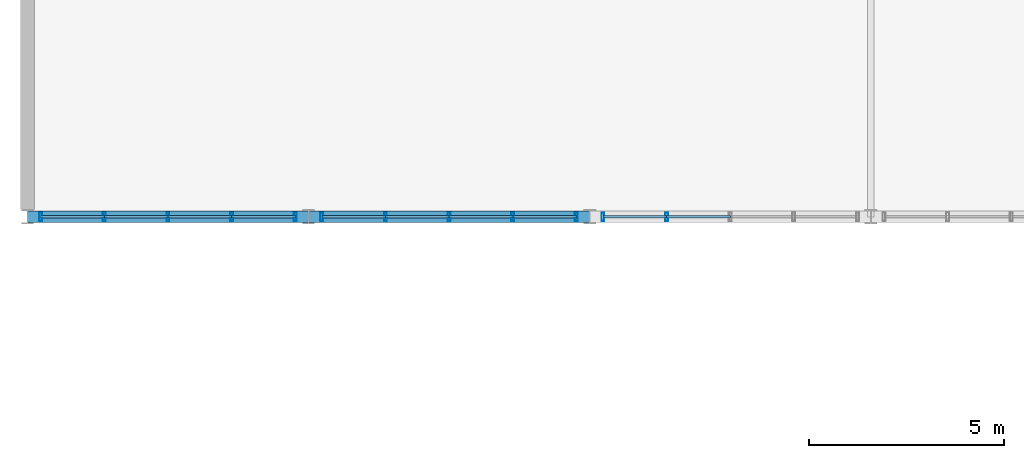
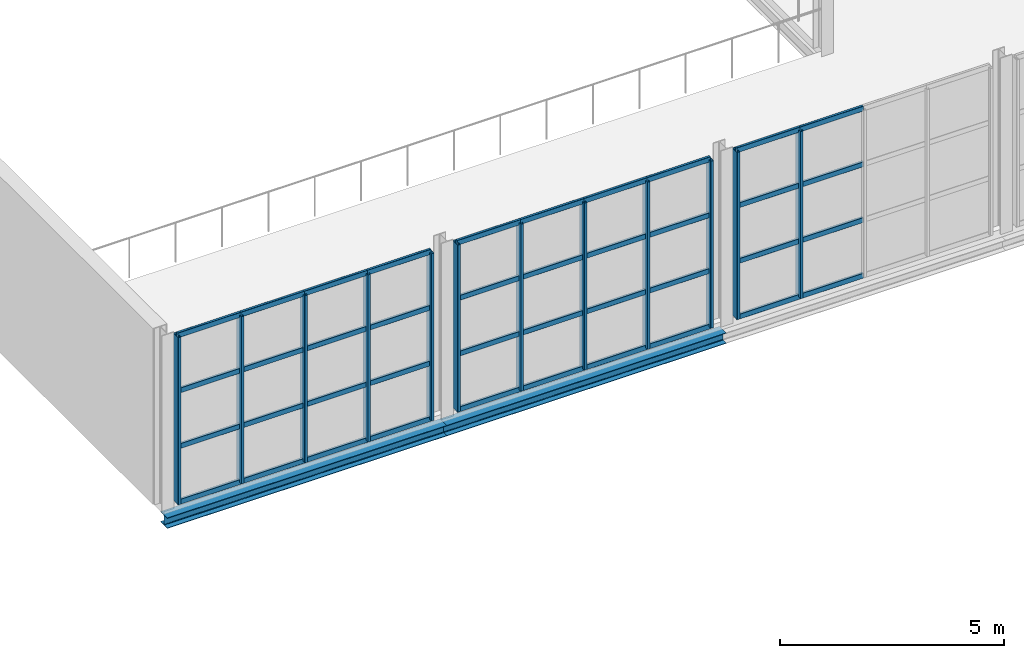
# One storey, part 58 of 143: 52 members, 2 beams, 3 elements without a shape of their own.
"""IFC4 building model written with IfcOpenShell, lengths in metres."""

from ifc_helpers import new_model, si_unit, derived_unit, direction, frame, origin, origin_2d, place, context, subcontext, project, spatial, hollow_rectangle, i_section, extrude, material, material_profile, profile_set, type_object, element, aggregate, save


model = new_model("IFC4")

# Units and contexts
model_context = context("Model", 3, precision=1e-05, world=origin(), true_north=direction((0.0, 1.0)))
body_context = subcontext(model_context, "Body", "Model", "MODEL_VIEW")
ifc_project = project(units=[si_unit("LENGTHUNIT", "METRE"), si_unit("AREAUNIT", "SQUARE_METRE"), si_unit("VOLUMEUNIT", "CUBIC_METRE"), si_unit("PLANEANGLEUNIT", "RADIAN"), si_unit("MASSUNIT", "GRAM", prefix="KILO"), derived_unit("THERMALTRANSMITTANCEUNIT", [(si_unit("POWERUNIT", "WATT"), 1), (si_unit("LENGTHUNIT", "METRE"), -2), (si_unit("THERMODYNAMICTEMPERATUREUNIT", "KELVIN"), -1)])], contexts=[model_context])

# Site, building, storey
site_placement = place(None, origin())
site = spatial("IfcSite", under=ifc_project, at=site_placement, CompositionType="ELEMENT")
building_placement = place(site_placement, origin())
building = spatial("IfcBuilding", under=site, at=building_placement, Name="Keldorne Ridge Multi-Sports Centre", CompositionType="ELEMENT")
storey_placement = place(building_placement, frame((0.0, 0.0, 4.800048828125)))
storey = spatial("IfcBuildingStorey", under=building, at=storey_placement, Name="L01", CompositionType="ELEMENT", Elevation=4.800048828125)

# Beams
ifc_material_1 = material(Name="Steel S355", Category="steel")
ifc_material_profile_1 = material_profile(ifc_material_1, i_section(OverallWidth=0.300048828125, OverallDepth=0.2900390625, WebThickness=0.008544921875, FlangeThickness=0.013916015625, FilletRadius=0.027099609375, at=origin_2d()), Name="HEA 300")
ifc_profile_set_1 = profile_set([ifc_material_profile_1], Name="Steel S355")
beam_type = type_object("IfcBeamType", Name="BM-SP-04", PredefinedType="SPANDREL", material=ifc_profile_set_1)
for number, where, z_axis, x_axis, name in (
    (1, (6.0, 74.0, -0.3701171875), (1.0, 0.0, 0.0), (0.0, 1.0, 0.0), "Climbing spandrel L01.74.1"),
    (2, (13.199951171875, 74.0, -0.3701171875), (1.0, 0.0, 0.0), (0.0, 1.0, 0.0), "Climbing spandrel L01.74.2"),
):
    element("IfcBeam", number, at=place(storey_placement, frame(where, z_axis=z_axis, x_axis=x_axis)), inside=storey, type_object=beam_type, Name=name, PredefinedType="SPANDREL", context=body_context, shape_type="SweptSolid", body=[
        extrude(i_section(OverallWidth=0.300048828125, OverallDepth=0.2900390625, WebThickness=0.008544921875, FlangeThickness=0.013916015625, FilletRadius=0.027099609375, at=origin_2d()), origin(), (0.0, 0.0, 1.0), 7.199951171875),
    ])

# Curtain wall, members
ifc_material_2 = material(Name="Anodized aluminium", Category="aluminium")
curtain_wall_type_1 = type_object("IfcCurtainWallType", Name="CW-CW-03", PredefinedType="NOTDEFINED", material=ifc_material_2)
curtain_wall_1_placement = place(storey_placement, origin())
curtain_wall_1 = element("IfcCurtainWall", 3, at=curtain_wall_1_placement, inside=storey, type_object=curtain_wall_type_1, Name="Climbing belay south glazing 035", PredefinedType="NOTDEFINED")
ifc_material_profile_2 = material_profile(ifc_material_2, hollow_rectangle(XDim=0.074951171875, YDim=0.219970703125, WallThickness=0.0048828125, InnerFilletRadius=0.0048828125, OuterFilletRadius=0.010009765625, at=origin_2d()), Name="ALU MULLION 220x75x5")
ifc_profile_set_2 = profile_set([ifc_material_profile_2], Name="Anodized aluminium")
member_type_1 = type_object("IfcMemberType", Name="MEM-ML-02", PredefinedType="MULLION", material=ifc_profile_set_2)
member_1_placement = place(storey_placement, frame((6.340087890625, 74.0, 0.0), z_axis=(0.0, 0.0, 1.0), x_axis=(1.0, 0.0, 0.0)))
member_1 = element("IfcMember", 4, at=member_1_placement, type_object=member_type_1, Name="CW-035 vertical mullion 1", PredefinedType="MULLION", context=body_context, shape_type="SweptSolid", body=[
    extrude(hollow_rectangle(XDim=0.074951171875, YDim=0.219970703125, WallThickness=0.0048828125, InnerFilletRadius=0.0048828125, OuterFilletRadius=0.010009765625, at=origin_2d()), origin(), (0.0, 0.0, 1.0), 4.550048828125),
])
member_2_placement = place(storey_placement, frame((7.969970703125, 74.0, 0.0), z_axis=(0.0, 0.0, 1.0), x_axis=(1.0, 0.0, 0.0)))
member_2 = element("IfcMember", 5, at=member_2_placement, type_object=member_type_1, Name="CW-035 vertical mullion 2", PredefinedType="MULLION", context=body_context, shape_type="SweptSolid", body=[
    extrude(hollow_rectangle(XDim=0.074951171875, YDim=0.219970703125, WallThickness=0.0048828125, InnerFilletRadius=0.0048828125, OuterFilletRadius=0.010009765625, at=origin_2d()), origin(), (0.0, 0.0, 1.0), 4.550048828125),
])
member_3_placement = place(storey_placement, frame((9.60009765625, 74.0, 0.0), z_axis=(0.0, 0.0, 1.0), x_axis=(1.0, 0.0, 0.0)))
member_3 = element("IfcMember", 6, at=member_3_placement, type_object=member_type_1, Name="CW-035 vertical mullion 3", PredefinedType="MULLION", context=body_context, shape_type="SweptSolid", body=[
    extrude(hollow_rectangle(XDim=0.074951171875, YDim=0.219970703125, WallThickness=0.0048828125, InnerFilletRadius=0.0048828125, OuterFilletRadius=0.010009765625, at=origin_2d()), origin(), (0.0, 0.0, 1.0), 4.550048828125),
])
member_4_placement = place(storey_placement, frame((11.22998046875, 74.0, 0.0), z_axis=(0.0, 0.0, 1.0), x_axis=(1.0, 0.0, 0.0)))
member_4 = element("IfcMember", 7, at=member_4_placement, type_object=member_type_1, Name="CW-035 vertical mullion 4", PredefinedType="MULLION", context=body_context, shape_type="SweptSolid", body=[
    extrude(hollow_rectangle(XDim=0.074951171875, YDim=0.219970703125, WallThickness=0.0048828125, InnerFilletRadius=0.0048828125, OuterFilletRadius=0.010009765625, at=origin_2d()), origin(), (0.0, 0.0, 1.0), 4.550048828125),
])
member_5_placement = place(storey_placement, frame((12.860107421875, 74.0, 0.0), z_axis=(0.0, 0.0, 1.0), x_axis=(1.0, 0.0, 0.0)))
member_5 = element("IfcMember", 8, at=member_5_placement, type_object=member_type_1, Name="CW-035 vertical mullion 5", PredefinedType="MULLION", context=body_context, shape_type="SweptSolid", body=[
    extrude(hollow_rectangle(XDim=0.074951171875, YDim=0.219970703125, WallThickness=0.0048828125, InnerFilletRadius=0.0048828125, OuterFilletRadius=0.010009765625, at=origin_2d()), origin(), (0.0, 0.0, 1.0), 4.550048828125),
])

curtain_wall_type_2 = type_object("IfcCurtainWallType", Name="CW-CW-08", PredefinedType="NOTDEFINED", material=ifc_material_2)
curtain_wall_2_placement = place(storey_placement, origin())
curtain_wall_2 = element("IfcCurtainWall", 9, at=curtain_wall_2_placement, inside=storey, type_object=curtain_wall_type_2, Name="Climbing belay south glazing 040", PredefinedType="NOTDEFINED")
member_6_placement = place(storey_placement, frame((13.5400390625, 74.0, 0.0), z_axis=(0.0, 0.0, 1.0), x_axis=(1.0, 0.0, 0.0)))
member_6 = element("IfcMember", 10, at=member_6_placement, type_object=member_type_1, Name="CW-040 vertical mullion 1", PredefinedType="MULLION", context=body_context, shape_type="SweptSolid", body=[
    extrude(hollow_rectangle(XDim=0.074951171875, YDim=0.219970703125, WallThickness=0.0048828125, InnerFilletRadius=0.0048828125, OuterFilletRadius=0.010009765625, at=origin_2d()), origin(), (0.0, 0.0, 1.0), 4.550048828125),
])
member_7_placement = place(storey_placement, frame((15.169921875, 74.0, 0.0), z_axis=(0.0, 0.0, 1.0), x_axis=(1.0, 0.0, 0.0)))
member_7 = element("IfcMember", 11, at=member_7_placement, type_object=member_type_1, Name="CW-040 vertical mullion 2", PredefinedType="MULLION", context=body_context, shape_type="SweptSolid", body=[
    extrude(hollow_rectangle(XDim=0.074951171875, YDim=0.219970703125, WallThickness=0.0048828125, InnerFilletRadius=0.0048828125, OuterFilletRadius=0.010009765625, at=origin_2d()), origin(), (0.0, 0.0, 1.0), 4.550048828125),
])
member_8_placement = place(storey_placement, frame((16.800048828125, 74.0, 0.0), z_axis=(0.0, 0.0, 1.0), x_axis=(1.0, 0.0, 0.0)))
member_8 = element("IfcMember", 12, at=member_8_placement, type_object=member_type_1, Name="CW-040 vertical mullion 3", PredefinedType="MULLION", context=body_context, shape_type="SweptSolid", body=[
    extrude(hollow_rectangle(XDim=0.074951171875, YDim=0.219970703125, WallThickness=0.0048828125, InnerFilletRadius=0.0048828125, OuterFilletRadius=0.010009765625, at=origin_2d()), origin(), (0.0, 0.0, 1.0), 4.550048828125),
])
member_9_placement = place(storey_placement, frame((18.429931640625, 74.0, 0.0), z_axis=(0.0, 0.0, 1.0), x_axis=(1.0, 0.0, 0.0)))
member_9 = element("IfcMember", 13, at=member_9_placement, type_object=member_type_1, Name="CW-040 vertical mullion 4", PredefinedType="MULLION", context=body_context, shape_type="SweptSolid", body=[
    extrude(hollow_rectangle(XDim=0.074951171875, YDim=0.219970703125, WallThickness=0.0048828125, InnerFilletRadius=0.0048828125, OuterFilletRadius=0.010009765625, at=origin_2d()), origin(), (0.0, 0.0, 1.0), 4.550048828125),
])
member_10_placement = place(storey_placement, frame((20.06005859375, 74.0, 0.0), z_axis=(0.0, 0.0, 1.0), x_axis=(1.0, 0.0, 0.0)))
member_10 = element("IfcMember", 14, at=member_10_placement, type_object=member_type_1, Name="CW-040 vertical mullion 5", PredefinedType="MULLION", context=body_context, shape_type="SweptSolid", body=[
    extrude(hollow_rectangle(XDim=0.074951171875, YDim=0.219970703125, WallThickness=0.0048828125, InnerFilletRadius=0.0048828125, OuterFilletRadius=0.010009765625, at=origin_2d()), origin(), (0.0, 0.0, 1.0), 4.550048828125),
])

curtain_wall_type_3 = type_object("IfcCurtainWallType", Name="CW-CW-04", PredefinedType="NOTDEFINED", material=ifc_material_2)
curtain_wall_3_placement = place(storey_placement, origin())
curtain_wall_3 = element("IfcCurtainWall", 15, at=curtain_wall_3_placement, inside=storey, type_object=curtain_wall_type_3, Name="Climbing belay south glazing 044", PredefinedType="NOTDEFINED")
member_11_placement = place(storey_placement, frame((20.739990234375, 74.0, 0.0), z_axis=(0.0, 0.0, 1.0), x_axis=(1.0, 0.0, 0.0)))
member_11 = element("IfcMember", 16, at=member_11_placement, type_object=member_type_1, Name="CW-044 vertical mullion 1", PredefinedType="MULLION", context=body_context, shape_type="SweptSolid", body=[
    extrude(hollow_rectangle(XDim=0.074951171875, YDim=0.219970703125, WallThickness=0.0048828125, InnerFilletRadius=0.0048828125, OuterFilletRadius=0.010009765625, at=origin_2d()), origin(), (0.0, 0.0, 1.0), 4.550048828125),
])
member_12_placement = place(storey_placement, frame((22.3701171875, 74.0, 0.0), z_axis=(0.0, 0.0, 1.0), x_axis=(1.0, 0.0, 0.0)))
member_12 = element("IfcMember", 17, at=member_12_placement, type_object=member_type_1, Name="CW-044 vertical mullion 2", PredefinedType="MULLION", context=body_context, shape_type="SweptSolid", body=[
    extrude(hollow_rectangle(XDim=0.074951171875, YDim=0.219970703125, WallThickness=0.0048828125, InnerFilletRadius=0.0048828125, OuterFilletRadius=0.010009765625, at=origin_2d()), origin(), (0.0, 0.0, 1.0), 4.550048828125),
])

# Member
ifc_material_profile_3 = material_profile(ifc_material_2, hollow_rectangle(XDim=0.06494140625, YDim=0.139892578125, WallThickness=0.00439453125, InnerFilletRadius=0.00439453125, OuterFilletRadius=0.009033203125, at=origin_2d()), Name="ALU TRANSOM 140x65x4.5")
ifc_profile_set_3 = profile_set([ifc_material_profile_3], Name="Anodized aluminium")
member_type_2 = type_object("IfcMemberType", Name="MEM-TR-01", PredefinedType="USERDEFINED", material=ifc_profile_set_3)
member_13_placement = place(storey_placement, frame((6.340087890625, 74.0, 0.0), z_axis=(1.0, 0.0, 0.0), x_axis=(0.0, 1.0, 0.0)))
member_13 = element("IfcMember", 18, at=member_13_placement, type_object=member_type_2, Name="CW-035 transom 1.1", ObjectType="TRANSOM", PredefinedType="USERDEFINED", context=body_context, shape_type="SweptSolid", body=[
    extrude(hollow_rectangle(XDim=0.06494140625, YDim=0.139892578125, WallThickness=0.00439453125, InnerFilletRadius=0.00439453125, OuterFilletRadius=0.009033203125, at=origin_2d()), origin(), (0.0, 0.0, 1.0), 1.6298828125),
])

member_14_placement = place(storey_placement, frame((6.340087890625, 74.0, 1.5166015625), z_axis=(1.0, 0.0, 0.0), x_axis=(0.0, 1.0, 0.0)))
member_14 = element("IfcMember", 19, at=member_14_placement, type_object=member_type_2, Name="CW-035 transom 1.2", ObjectType="TRANSOM", PredefinedType="USERDEFINED", context=body_context, shape_type="SweptSolid", body=[
    extrude(hollow_rectangle(XDim=0.06494140625, YDim=0.139892578125, WallThickness=0.00439453125, InnerFilletRadius=0.00439453125, OuterFilletRadius=0.009033203125, at=origin_2d()), origin(), (0.0, 0.0, 1.0), 1.6298828125),
])

member_15_placement = place(storey_placement, frame((6.340087890625, 74.0, 3.033203125), z_axis=(1.0, 0.0, 0.0), x_axis=(0.0, 1.0, 0.0)))
member_15 = element("IfcMember", 20, at=member_15_placement, type_object=member_type_2, Name="CW-035 transom 1.3", ObjectType="TRANSOM", PredefinedType="USERDEFINED", context=body_context, shape_type="SweptSolid", body=[
    extrude(hollow_rectangle(XDim=0.06494140625, YDim=0.139892578125, WallThickness=0.00439453125, InnerFilletRadius=0.00439453125, OuterFilletRadius=0.009033203125, at=origin_2d()), origin(), (0.0, 0.0, 1.0), 1.6298828125),
])

member_16_placement = place(storey_placement, frame((6.340087890625, 74.0, 4.550048828125), z_axis=(1.0, 0.0, 0.0), x_axis=(0.0, 1.0, 0.0)))
member_16 = element("IfcMember", 21, at=member_16_placement, type_object=member_type_2, Name="CW-035 transom 1.4", ObjectType="TRANSOM", PredefinedType="USERDEFINED", context=body_context, shape_type="SweptSolid", body=[
    extrude(hollow_rectangle(XDim=0.06494140625, YDim=0.139892578125, WallThickness=0.00439453125, InnerFilletRadius=0.00439453125, OuterFilletRadius=0.009033203125, at=origin_2d()), origin(), (0.0, 0.0, 1.0), 1.6298828125),
])

member_17_placement = place(storey_placement, frame((7.969970703125, 74.0, 0.0), z_axis=(1.0, 0.0, 0.0), x_axis=(0.0, 1.0, 0.0)))
member_17 = element("IfcMember", 22, at=member_17_placement, type_object=member_type_2, Name="CW-035 transom 2.1", ObjectType="TRANSOM", PredefinedType="USERDEFINED", context=body_context, shape_type="SweptSolid", body=[
    extrude(hollow_rectangle(XDim=0.06494140625, YDim=0.139892578125, WallThickness=0.00439453125, InnerFilletRadius=0.00439453125, OuterFilletRadius=0.009033203125, at=origin_2d()), origin(), (0.0, 0.0, 1.0), 1.630126953125),
])

member_18_placement = place(storey_placement, frame((7.969970703125, 74.0, 1.5166015625), z_axis=(1.0, 0.0, 0.0), x_axis=(0.0, 1.0, 0.0)))
member_18 = element("IfcMember", 23, at=member_18_placement, type_object=member_type_2, Name="CW-035 transom 2.2", ObjectType="TRANSOM", PredefinedType="USERDEFINED", context=body_context, shape_type="SweptSolid", body=[
    extrude(hollow_rectangle(XDim=0.06494140625, YDim=0.139892578125, WallThickness=0.00439453125, InnerFilletRadius=0.00439453125, OuterFilletRadius=0.009033203125, at=origin_2d()), origin(), (0.0, 0.0, 1.0), 1.630126953125),
])

member_19_placement = place(storey_placement, frame((7.969970703125, 74.0, 3.033203125), z_axis=(1.0, 0.0, 0.0), x_axis=(0.0, 1.0, 0.0)))
member_19 = element("IfcMember", 24, at=member_19_placement, type_object=member_type_2, Name="CW-035 transom 2.3", ObjectType="TRANSOM", PredefinedType="USERDEFINED", context=body_context, shape_type="SweptSolid", body=[
    extrude(hollow_rectangle(XDim=0.06494140625, YDim=0.139892578125, WallThickness=0.00439453125, InnerFilletRadius=0.00439453125, OuterFilletRadius=0.009033203125, at=origin_2d()), origin(), (0.0, 0.0, 1.0), 1.630126953125),
])

member_20_placement = place(storey_placement, frame((7.969970703125, 74.0, 4.550048828125), z_axis=(1.0, 0.0, 0.0), x_axis=(0.0, 1.0, 0.0)))
member_20 = element("IfcMember", 25, at=member_20_placement, type_object=member_type_2, Name="CW-035 transom 2.4", ObjectType="TRANSOM", PredefinedType="USERDEFINED", context=body_context, shape_type="SweptSolid", body=[
    extrude(hollow_rectangle(XDim=0.06494140625, YDim=0.139892578125, WallThickness=0.00439453125, InnerFilletRadius=0.00439453125, OuterFilletRadius=0.009033203125, at=origin_2d()), origin(), (0.0, 0.0, 1.0), 1.630126953125),
])

member_21_placement = place(storey_placement, frame((9.60009765625, 74.0, 0.0), z_axis=(1.0, 0.0, 0.0), x_axis=(0.0, 1.0, 0.0)))
member_21 = element("IfcMember", 26, at=member_21_placement, type_object=member_type_2, Name="CW-035 transom 3.1", ObjectType="TRANSOM", PredefinedType="USERDEFINED", context=body_context, shape_type="SweptSolid", body=[
    extrude(hollow_rectangle(XDim=0.06494140625, YDim=0.139892578125, WallThickness=0.00439453125, InnerFilletRadius=0.00439453125, OuterFilletRadius=0.009033203125, at=origin_2d()), origin(), (0.0, 0.0, 1.0), 1.6298828125),
])

member_22_placement = place(storey_placement, frame((9.60009765625, 74.0, 1.5166015625), z_axis=(1.0, 0.0, 0.0), x_axis=(0.0, 1.0, 0.0)))
member_22 = element("IfcMember", 27, at=member_22_placement, type_object=member_type_2, Name="CW-035 transom 3.2", ObjectType="TRANSOM", PredefinedType="USERDEFINED", context=body_context, shape_type="SweptSolid", body=[
    extrude(hollow_rectangle(XDim=0.06494140625, YDim=0.139892578125, WallThickness=0.00439453125, InnerFilletRadius=0.00439453125, OuterFilletRadius=0.009033203125, at=origin_2d()), origin(), (0.0, 0.0, 1.0), 1.6298828125),
])

member_23_placement = place(storey_placement, frame((9.60009765625, 74.0, 3.033203125), z_axis=(1.0, 0.0, 0.0), x_axis=(0.0, 1.0, 0.0)))
member_23 = element("IfcMember", 28, at=member_23_placement, type_object=member_type_2, Name="CW-035 transom 3.3", ObjectType="TRANSOM", PredefinedType="USERDEFINED", context=body_context, shape_type="SweptSolid", body=[
    extrude(hollow_rectangle(XDim=0.06494140625, YDim=0.139892578125, WallThickness=0.00439453125, InnerFilletRadius=0.00439453125, OuterFilletRadius=0.009033203125, at=origin_2d()), origin(), (0.0, 0.0, 1.0), 1.6298828125),
])

member_24_placement = place(storey_placement, frame((9.60009765625, 74.0, 4.550048828125), z_axis=(1.0, 0.0, 0.0), x_axis=(0.0, 1.0, 0.0)))
member_24 = element("IfcMember", 29, at=member_24_placement, type_object=member_type_2, Name="CW-035 transom 3.4", ObjectType="TRANSOM", PredefinedType="USERDEFINED", context=body_context, shape_type="SweptSolid", body=[
    extrude(hollow_rectangle(XDim=0.06494140625, YDim=0.139892578125, WallThickness=0.00439453125, InnerFilletRadius=0.00439453125, OuterFilletRadius=0.009033203125, at=origin_2d()), origin(), (0.0, 0.0, 1.0), 1.6298828125),
])

member_25_placement = place(storey_placement, frame((11.22998046875, 74.0, 0.0), z_axis=(1.0, 0.0, 0.0), x_axis=(0.0, 1.0, 0.0)))
member_25 = element("IfcMember", 30, at=member_25_placement, type_object=member_type_2, Name="CW-035 transom 4.1", ObjectType="TRANSOM", PredefinedType="USERDEFINED", context=body_context, shape_type="SweptSolid", body=[
    extrude(hollow_rectangle(XDim=0.06494140625, YDim=0.139892578125, WallThickness=0.00439453125, InnerFilletRadius=0.00439453125, OuterFilletRadius=0.009033203125, at=origin_2d()), origin(), (0.0, 0.0, 1.0), 1.630126953125),
])

member_26_placement = place(storey_placement, frame((11.22998046875, 74.0, 1.5166015625), z_axis=(1.0, 0.0, 0.0), x_axis=(0.0, 1.0, 0.0)))
member_26 = element("IfcMember", 31, at=member_26_placement, type_object=member_type_2, Name="CW-035 transom 4.2", ObjectType="TRANSOM", PredefinedType="USERDEFINED", context=body_context, shape_type="SweptSolid", body=[
    extrude(hollow_rectangle(XDim=0.06494140625, YDim=0.139892578125, WallThickness=0.00439453125, InnerFilletRadius=0.00439453125, OuterFilletRadius=0.009033203125, at=origin_2d()), origin(), (0.0, 0.0, 1.0), 1.630126953125),
])

member_27_placement = place(storey_placement, frame((11.22998046875, 74.0, 3.033203125), z_axis=(1.0, 0.0, 0.0), x_axis=(0.0, 1.0, 0.0)))
member_27 = element("IfcMember", 32, at=member_27_placement, type_object=member_type_2, Name="CW-035 transom 4.3", ObjectType="TRANSOM", PredefinedType="USERDEFINED", context=body_context, shape_type="SweptSolid", body=[
    extrude(hollow_rectangle(XDim=0.06494140625, YDim=0.139892578125, WallThickness=0.00439453125, InnerFilletRadius=0.00439453125, OuterFilletRadius=0.009033203125, at=origin_2d()), origin(), (0.0, 0.0, 1.0), 1.630126953125),
])

member_28_placement = place(storey_placement, frame((11.22998046875, 74.0, 4.550048828125), z_axis=(1.0, 0.0, 0.0), x_axis=(0.0, 1.0, 0.0)))
member_28 = element("IfcMember", 33, at=member_28_placement, type_object=member_type_2, Name="CW-035 transom 4.4", ObjectType="TRANSOM", PredefinedType="USERDEFINED", context=body_context, shape_type="SweptSolid", body=[
    extrude(hollow_rectangle(XDim=0.06494140625, YDim=0.139892578125, WallThickness=0.00439453125, InnerFilletRadius=0.00439453125, OuterFilletRadius=0.009033203125, at=origin_2d()), origin(), (0.0, 0.0, 1.0), 1.630126953125),
])

aggregate(curtain_wall_1, [member_1, member_2, member_3, member_4, member_5, member_13, member_14, member_15, member_16, member_17, member_18, member_19, member_20, member_21, member_22, member_23, member_24, member_25, member_26, member_27, member_28])

member_29_placement = place(storey_placement, frame((13.5400390625, 74.0, 0.0), z_axis=(1.0, 0.0, 0.0), x_axis=(0.0, 1.0, 0.0)))
member_29 = element("IfcMember", 34, at=member_29_placement, type_object=member_type_2, Name="CW-040 transom 1.1", ObjectType="TRANSOM", PredefinedType="USERDEFINED", context=body_context, shape_type="SweptSolid", body=[
    extrude(hollow_rectangle(XDim=0.06494140625, YDim=0.139892578125, WallThickness=0.00439453125, InnerFilletRadius=0.00439453125, OuterFilletRadius=0.009033203125, at=origin_2d()), origin(), (0.0, 0.0, 1.0), 1.6298828125),
])

member_30_placement = place(storey_placement, frame((13.5400390625, 74.0, 1.5166015625), z_axis=(1.0, 0.0, 0.0), x_axis=(0.0, 1.0, 0.0)))
member_30 = element("IfcMember", 35, at=member_30_placement, type_object=member_type_2, Name="CW-040 transom 1.2", ObjectType="TRANSOM", PredefinedType="USERDEFINED", context=body_context, shape_type="SweptSolid", body=[
    extrude(hollow_rectangle(XDim=0.06494140625, YDim=0.139892578125, WallThickness=0.00439453125, InnerFilletRadius=0.00439453125, OuterFilletRadius=0.009033203125, at=origin_2d()), origin(), (0.0, 0.0, 1.0), 1.6298828125),
])

member_31_placement = place(storey_placement, frame((13.5400390625, 74.0, 3.033203125), z_axis=(1.0, 0.0, 0.0), x_axis=(0.0, 1.0, 0.0)))
member_31 = element("IfcMember", 36, at=member_31_placement, type_object=member_type_2, Name="CW-040 transom 1.3", ObjectType="TRANSOM", PredefinedType="USERDEFINED", context=body_context, shape_type="SweptSolid", body=[
    extrude(hollow_rectangle(XDim=0.06494140625, YDim=0.139892578125, WallThickness=0.00439453125, InnerFilletRadius=0.00439453125, OuterFilletRadius=0.009033203125, at=origin_2d()), origin(), (0.0, 0.0, 1.0), 1.6298828125),
])

member_32_placement = place(storey_placement, frame((13.5400390625, 74.0, 4.550048828125), z_axis=(1.0, 0.0, 0.0), x_axis=(0.0, 1.0, 0.0)))
member_32 = element("IfcMember", 37, at=member_32_placement, type_object=member_type_2, Name="CW-040 transom 1.4", ObjectType="TRANSOM", PredefinedType="USERDEFINED", context=body_context, shape_type="SweptSolid", body=[
    extrude(hollow_rectangle(XDim=0.06494140625, YDim=0.139892578125, WallThickness=0.00439453125, InnerFilletRadius=0.00439453125, OuterFilletRadius=0.009033203125, at=origin_2d()), origin(), (0.0, 0.0, 1.0), 1.6298828125),
])

member_33_placement = place(storey_placement, frame((15.169921875, 74.0, 0.0), z_axis=(1.0, 0.0, 0.0), x_axis=(0.0, 1.0, 0.0)))
member_33 = element("IfcMember", 38, at=member_33_placement, type_object=member_type_2, Name="CW-040 transom 2.1", ObjectType="TRANSOM", PredefinedType="USERDEFINED", context=body_context, shape_type="SweptSolid", body=[
    extrude(hollow_rectangle(XDim=0.06494140625, YDim=0.139892578125, WallThickness=0.00439453125, InnerFilletRadius=0.00439453125, OuterFilletRadius=0.009033203125, at=origin_2d()), origin(), (0.0, 0.0, 1.0), 1.630126953125),
])

member_34_placement = place(storey_placement, frame((15.169921875, 74.0, 1.5166015625), z_axis=(1.0, 0.0, 0.0), x_axis=(0.0, 1.0, 0.0)))
member_34 = element("IfcMember", 39, at=member_34_placement, type_object=member_type_2, Name="CW-040 transom 2.2", ObjectType="TRANSOM", PredefinedType="USERDEFINED", context=body_context, shape_type="SweptSolid", body=[
    extrude(hollow_rectangle(XDim=0.06494140625, YDim=0.139892578125, WallThickness=0.00439453125, InnerFilletRadius=0.00439453125, OuterFilletRadius=0.009033203125, at=origin_2d()), origin(), (0.0, 0.0, 1.0), 1.630126953125),
])

member_35_placement = place(storey_placement, frame((15.169921875, 74.0, 3.033203125), z_axis=(1.0, 0.0, 0.0), x_axis=(0.0, 1.0, 0.0)))
member_35 = element("IfcMember", 40, at=member_35_placement, type_object=member_type_2, Name="CW-040 transom 2.3", ObjectType="TRANSOM", PredefinedType="USERDEFINED", context=body_context, shape_type="SweptSolid", body=[
    extrude(hollow_rectangle(XDim=0.06494140625, YDim=0.139892578125, WallThickness=0.00439453125, InnerFilletRadius=0.00439453125, OuterFilletRadius=0.009033203125, at=origin_2d()), origin(), (0.0, 0.0, 1.0), 1.630126953125),
])

member_36_placement = place(storey_placement, frame((15.169921875, 74.0, 4.550048828125), z_axis=(1.0, 0.0, 0.0), x_axis=(0.0, 1.0, 0.0)))
member_36 = element("IfcMember", 41, at=member_36_placement, type_object=member_type_2, Name="CW-040 transom 2.4", ObjectType="TRANSOM", PredefinedType="USERDEFINED", context=body_context, shape_type="SweptSolid", body=[
    extrude(hollow_rectangle(XDim=0.06494140625, YDim=0.139892578125, WallThickness=0.00439453125, InnerFilletRadius=0.00439453125, OuterFilletRadius=0.009033203125, at=origin_2d()), origin(), (0.0, 0.0, 1.0), 1.630126953125),
])

member_37_placement = place(storey_placement, frame((16.800048828125, 74.0, 0.0), z_axis=(1.0, 0.0, 0.0), x_axis=(0.0, 1.0, 0.0)))
member_37 = element("IfcMember", 42, at=member_37_placement, type_object=member_type_2, Name="CW-040 transom 3.1", ObjectType="TRANSOM", PredefinedType="USERDEFINED", context=body_context, shape_type="SweptSolid", body=[
    extrude(hollow_rectangle(XDim=0.06494140625, YDim=0.139892578125, WallThickness=0.00439453125, InnerFilletRadius=0.00439453125, OuterFilletRadius=0.009033203125, at=origin_2d()), origin(), (0.0, 0.0, 1.0), 1.6298828125),
])

member_38_placement = place(storey_placement, frame((16.800048828125, 74.0, 1.5166015625), z_axis=(1.0, 0.0, 0.0), x_axis=(0.0, 1.0, 0.0)))
member_38 = element("IfcMember", 43, at=member_38_placement, type_object=member_type_2, Name="CW-040 transom 3.2", ObjectType="TRANSOM", PredefinedType="USERDEFINED", context=body_context, shape_type="SweptSolid", body=[
    extrude(hollow_rectangle(XDim=0.06494140625, YDim=0.139892578125, WallThickness=0.00439453125, InnerFilletRadius=0.00439453125, OuterFilletRadius=0.009033203125, at=origin_2d()), origin(), (0.0, 0.0, 1.0), 1.6298828125),
])

member_39_placement = place(storey_placement, frame((16.800048828125, 74.0, 3.033203125), z_axis=(1.0, 0.0, 0.0), x_axis=(0.0, 1.0, 0.0)))
member_39 = element("IfcMember", 44, at=member_39_placement, type_object=member_type_2, Name="CW-040 transom 3.3", ObjectType="TRANSOM", PredefinedType="USERDEFINED", context=body_context, shape_type="SweptSolid", body=[
    extrude(hollow_rectangle(XDim=0.06494140625, YDim=0.139892578125, WallThickness=0.00439453125, InnerFilletRadius=0.00439453125, OuterFilletRadius=0.009033203125, at=origin_2d()), origin(), (0.0, 0.0, 1.0), 1.6298828125),
])

member_40_placement = place(storey_placement, frame((16.800048828125, 74.0, 4.550048828125), z_axis=(1.0, 0.0, 0.0), x_axis=(0.0, 1.0, 0.0)))
member_40 = element("IfcMember", 45, at=member_40_placement, type_object=member_type_2, Name="CW-040 transom 3.4", ObjectType="TRANSOM", PredefinedType="USERDEFINED", context=body_context, shape_type="SweptSolid", body=[
    extrude(hollow_rectangle(XDim=0.06494140625, YDim=0.139892578125, WallThickness=0.00439453125, InnerFilletRadius=0.00439453125, OuterFilletRadius=0.009033203125, at=origin_2d()), origin(), (0.0, 0.0, 1.0), 1.6298828125),
])

member_41_placement = place(storey_placement, frame((18.429931640625, 74.0, 0.0), z_axis=(1.0, 0.0, 0.0), x_axis=(0.0, 1.0, 0.0)))
member_41 = element("IfcMember", 46, at=member_41_placement, type_object=member_type_2, Name="CW-040 transom 4.1", ObjectType="TRANSOM", PredefinedType="USERDEFINED", context=body_context, shape_type="SweptSolid", body=[
    extrude(hollow_rectangle(XDim=0.06494140625, YDim=0.139892578125, WallThickness=0.00439453125, InnerFilletRadius=0.00439453125, OuterFilletRadius=0.009033203125, at=origin_2d()), origin(), (0.0, 0.0, 1.0), 1.630126953125),
])

member_42_placement = place(storey_placement, frame((18.429931640625, 74.0, 1.5166015625), z_axis=(1.0, 0.0, 0.0), x_axis=(0.0, 1.0, 0.0)))
member_42 = element("IfcMember", 47, at=member_42_placement, type_object=member_type_2, Name="CW-040 transom 4.2", ObjectType="TRANSOM", PredefinedType="USERDEFINED", context=body_context, shape_type="SweptSolid", body=[
    extrude(hollow_rectangle(XDim=0.06494140625, YDim=0.139892578125, WallThickness=0.00439453125, InnerFilletRadius=0.00439453125, OuterFilletRadius=0.009033203125, at=origin_2d()), origin(), (0.0, 0.0, 1.0), 1.630126953125),
])

member_43_placement = place(storey_placement, frame((18.429931640625, 74.0, 3.033203125), z_axis=(1.0, 0.0, 0.0), x_axis=(0.0, 1.0, 0.0)))
member_43 = element("IfcMember", 48, at=member_43_placement, type_object=member_type_2, Name="CW-040 transom 4.3", ObjectType="TRANSOM", PredefinedType="USERDEFINED", context=body_context, shape_type="SweptSolid", body=[
    extrude(hollow_rectangle(XDim=0.06494140625, YDim=0.139892578125, WallThickness=0.00439453125, InnerFilletRadius=0.00439453125, OuterFilletRadius=0.009033203125, at=origin_2d()), origin(), (0.0, 0.0, 1.0), 1.630126953125),
])

member_44_placement = place(storey_placement, frame((18.429931640625, 74.0, 4.550048828125), z_axis=(1.0, 0.0, 0.0), x_axis=(0.0, 1.0, 0.0)))
member_44 = element("IfcMember", 49, at=member_44_placement, type_object=member_type_2, Name="CW-040 transom 4.4", ObjectType="TRANSOM", PredefinedType="USERDEFINED", context=body_context, shape_type="SweptSolid", body=[
    extrude(hollow_rectangle(XDim=0.06494140625, YDim=0.139892578125, WallThickness=0.00439453125, InnerFilletRadius=0.00439453125, OuterFilletRadius=0.009033203125, at=origin_2d()), origin(), (0.0, 0.0, 1.0), 1.630126953125),
])

aggregate(curtain_wall_2, [member_6, member_7, member_8, member_9, member_10, member_29, member_30, member_31, member_32, member_33, member_34, member_35, member_36, member_37, member_38, member_39, member_40, member_41, member_42, member_43, member_44])

member_45_placement = place(storey_placement, frame((20.739990234375, 74.0, 0.0), z_axis=(1.0, 0.0, 0.0), x_axis=(0.0, 1.0, 0.0)))
member_45 = element("IfcMember", 50, at=member_45_placement, type_object=member_type_2, Name="CW-044 transom 1.1", ObjectType="TRANSOM", PredefinedType="USERDEFINED", context=body_context, shape_type="SweptSolid", body=[
    extrude(hollow_rectangle(XDim=0.06494140625, YDim=0.139892578125, WallThickness=0.00439453125, InnerFilletRadius=0.00439453125, OuterFilletRadius=0.009033203125, at=origin_2d()), origin(), (0.0, 0.0, 1.0), 1.630126953125),
])

member_46_placement = place(storey_placement, frame((20.739990234375, 74.0, 1.5166015625), z_axis=(1.0, 0.0, 0.0), x_axis=(0.0, 1.0, 0.0)))
member_46 = element("IfcMember", 51, at=member_46_placement, type_object=member_type_2, Name="CW-044 transom 1.2", ObjectType="TRANSOM", PredefinedType="USERDEFINED", context=body_context, shape_type="SweptSolid", body=[
    extrude(hollow_rectangle(XDim=0.06494140625, YDim=0.139892578125, WallThickness=0.00439453125, InnerFilletRadius=0.00439453125, OuterFilletRadius=0.009033203125, at=origin_2d()), origin(), (0.0, 0.0, 1.0), 1.630126953125),
])

member_47_placement = place(storey_placement, frame((20.739990234375, 74.0, 3.033203125), z_axis=(1.0, 0.0, 0.0), x_axis=(0.0, 1.0, 0.0)))
member_47 = element("IfcMember", 52, at=member_47_placement, type_object=member_type_2, Name="CW-044 transom 1.3", ObjectType="TRANSOM", PredefinedType="USERDEFINED", context=body_context, shape_type="SweptSolid", body=[
    extrude(hollow_rectangle(XDim=0.06494140625, YDim=0.139892578125, WallThickness=0.00439453125, InnerFilletRadius=0.00439453125, OuterFilletRadius=0.009033203125, at=origin_2d()), origin(), (0.0, 0.0, 1.0), 1.630126953125),
])

member_48_placement = place(storey_placement, frame((20.739990234375, 74.0, 4.550048828125), z_axis=(1.0, 0.0, 0.0), x_axis=(0.0, 1.0, 0.0)))
member_48 = element("IfcMember", 53, at=member_48_placement, type_object=member_type_2, Name="CW-044 transom 1.4", ObjectType="TRANSOM", PredefinedType="USERDEFINED", context=body_context, shape_type="SweptSolid", body=[
    extrude(hollow_rectangle(XDim=0.06494140625, YDim=0.139892578125, WallThickness=0.00439453125, InnerFilletRadius=0.00439453125, OuterFilletRadius=0.009033203125, at=origin_2d()), origin(), (0.0, 0.0, 1.0), 1.630126953125),
])

member_49_placement = place(storey_placement, frame((22.3701171875, 74.0, 0.0), z_axis=(1.0, 0.0, 0.0), x_axis=(0.0, 1.0, 0.0)))
member_49 = element("IfcMember", 54, at=member_49_placement, type_object=member_type_2, Name="CW-044 transom 2.1", ObjectType="TRANSOM", PredefinedType="USERDEFINED", context=body_context, shape_type="SweptSolid", body=[
    extrude(hollow_rectangle(XDim=0.06494140625, YDim=0.139892578125, WallThickness=0.00439453125, InnerFilletRadius=0.00439453125, OuterFilletRadius=0.009033203125, at=origin_2d()), origin(), (0.0, 0.0, 1.0), 1.6298828125),
])

member_50_placement = place(storey_placement, frame((22.3701171875, 74.0, 1.5166015625), z_axis=(1.0, 0.0, 0.0), x_axis=(0.0, 1.0, 0.0)))
member_50 = element("IfcMember", 55, at=member_50_placement, type_object=member_type_2, Name="CW-044 transom 2.2", ObjectType="TRANSOM", PredefinedType="USERDEFINED", context=body_context, shape_type="SweptSolid", body=[
    extrude(hollow_rectangle(XDim=0.06494140625, YDim=0.139892578125, WallThickness=0.00439453125, InnerFilletRadius=0.00439453125, OuterFilletRadius=0.009033203125, at=origin_2d()), origin(), (0.0, 0.0, 1.0), 1.6298828125),
])

member_51_placement = place(storey_placement, frame((22.3701171875, 74.0, 3.033203125), z_axis=(1.0, 0.0, 0.0), x_axis=(0.0, 1.0, 0.0)))
member_51 = element("IfcMember", 56, at=member_51_placement, type_object=member_type_2, Name="CW-044 transom 2.3", ObjectType="TRANSOM", PredefinedType="USERDEFINED", context=body_context, shape_type="SweptSolid", body=[
    extrude(hollow_rectangle(XDim=0.06494140625, YDim=0.139892578125, WallThickness=0.00439453125, InnerFilletRadius=0.00439453125, OuterFilletRadius=0.009033203125, at=origin_2d()), origin(), (0.0, 0.0, 1.0), 1.6298828125),
])

member_52_placement = place(storey_placement, frame((22.3701171875, 74.0, 4.550048828125), z_axis=(1.0, 0.0, 0.0), x_axis=(0.0, 1.0, 0.0)))
member_52 = element("IfcMember", 57, at=member_52_placement, type_object=member_type_2, Name="CW-044 transom 2.4", ObjectType="TRANSOM", PredefinedType="USERDEFINED", context=body_context, shape_type="SweptSolid", body=[
    extrude(hollow_rectangle(XDim=0.06494140625, YDim=0.139892578125, WallThickness=0.00439453125, InnerFilletRadius=0.00439453125, OuterFilletRadius=0.009033203125, at=origin_2d()), origin(), (0.0, 0.0, 1.0), 1.6298828125),
])

aggregate(curtain_wall_3, [member_11, member_12, member_45, member_46, member_47, member_48, member_49, member_50, member_51, member_52])

save(model, "model.ifc")
